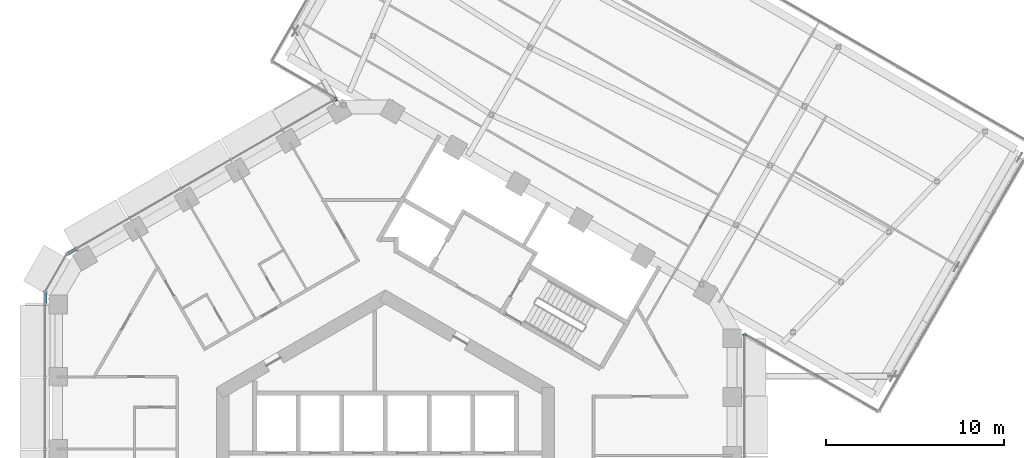
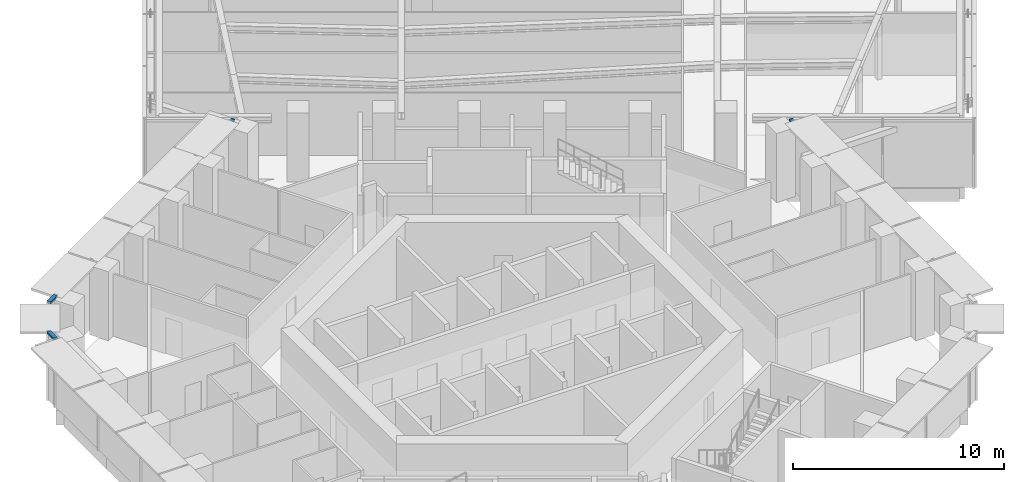
# One storey, part 11 of 28: 4 members, 3 elements without a shape of their own.
"""IFC4 building model written with IfcOpenShell, lengths in metres."""

from ifc_helpers import new_model, si_unit, direction, frame, origin, origin_2d, place, context, subcontext, project, spatial, rectangle, extrude, material, layer, layer_set, material_profile, profile_set, type_object, element, aggregate, save


model = new_model("IFC4")

# Units and contexts
model_context = context("Model", 3, precision=1e-05, world=origin(), true_north=direction((0.0, 1.0)))
body_context = subcontext(model_context, "Body", "Model", "MODEL_VIEW")
ifc_project = project(units=[si_unit("LENGTHUNIT", "METRE"), si_unit("AREAUNIT", "SQUARE_METRE"), si_unit("VOLUMEUNIT", "CUBIC_METRE"), si_unit("PLANEANGLEUNIT", "RADIAN"), si_unit("MASSUNIT", "GRAM", prefix="KILO")], contexts=[model_context])

# Site, building, storey
site_placement = place(None, origin())
site = spatial("IfcSite", under=ifc_project, at=site_placement, CompositionType="ELEMENT")
building_placement = place(site_placement, origin())
building = spatial("IfcBuilding", under=site, at=building_placement, Name="Ayvan Gate Tower", CompositionType="ELEMENT")
storey_placement = place(building_placement, frame((0.0, 0.0, 143.89990234375)))
storey = spatial("IfcBuildingStorey", under=building, at=storey_placement, Name="L38", CompositionType="ELEMENT", Elevation=143.89990234375)

# Curtain wall, members
ifc_material = material(Name="Bronze anodised aluminium", Category="aluminium")
ifc_layer = layer(ifc_material, 0.199951171875)
ifc_layer_set = layer_set([ifc_layer], Name="Bronze anodised aluminium")
curtain_wall_type = type_object("IfcCurtainWallType", Name="Stick curtain wall CW-6", PredefinedType="NOTDEFINED", material=ifc_layer_set)
curtain_wall_1_placement = place(storey_placement, origin())
curtain_wall_1 = element("IfcCurtainWall", 1, at=curtain_wall_1_placement, inside=storey, type_object=curtain_wall_type, Name="Stick curtain wall CW-6 L38", PredefinedType="NOTDEFINED")
ifc_material_profile = material_profile(ifc_material, rectangle(XDim=0.199951171875, YDim=0.1201171875, at=origin_2d()), Name="Stick curtain wall CW-6 transom 200 x 120")
ifc_profile_set = profile_set([ifc_material_profile], Name="Bronze anodised aluminium")
member_type = type_object("IfcMemberType", Name="Stick curtain wall CW-6 transom 200 x 120", PredefinedType="USERDEFINED", material=ifc_profile_set)
member_1_placement = place(storey_placement, frame((-17.35400390625, 13.288818359375, 3.940185546875), z_axis=(-0.866022959057, -0.500004234368, 0.0), x_axis=(0.500004234368, -0.866022959057, 0.0)))
member_1 = element("IfcMember", 2, at=member_1_placement, type_object=member_type, Name="CW-6 transom 1", ObjectType="TRANSOM", PredefinedType="USERDEFINED", context=body_context, shape_type="SweptSolid", body=[
    extrude(rectangle(XDim=0.199951171875, YDim=0.1201171875, at=origin_2d()), origin(), (0.0, 0.0, 1.0), 0.625),
])
member_2_placement = place(storey_placement, frame((-19.124267578125, 10.847900390625, 3.940185546875), z_axis=(0.0, -1.0, 0.0), x_axis=(1.0, 0.0, 0.0)))
member_2 = element("IfcMember", 3, at=member_2_placement, type_object=member_type, Name="CW-6 transom 2", ObjectType="TRANSOM", PredefinedType="USERDEFINED", context=body_context, shape_type="SweptSolid", body=[
    extrude(rectangle(XDim=0.199951171875, YDim=0.1201171875, at=origin_2d()), origin(), (0.0, 0.0, 1.0), 0.625),
])
aggregate(curtain_wall_1, [member_1, member_2])

# Curtain wall, member
curtain_wall_2_placement = place(storey_placement, origin())
curtain_wall_2 = element("IfcCurtainWall", 4, at=curtain_wall_2_placement, inside=storey, type_object=curtain_wall_type, Name="Stick curtain wall CW-6 L38", PredefinedType="NOTDEFINED")
member_3_placement = place(storey_placement, frame((20.185546875, 8.384765625, 3.940185546875), z_axis=(-0.258736085224, 0.965948051503, 0.0), x_axis=(-0.965948051503, -0.258736085224, 0.0)))
member_3 = element("IfcMember", 5, at=member_3_placement, type_object=member_type, Name="CW-6 transom 1", ObjectType="TRANSOM", PredefinedType="USERDEFINED", context=body_context, shape_type="SweptSolid", body=[
    extrude(rectangle(XDim=0.199951171875, YDim=0.1201171875, at=origin_2d()), origin(), (0.0, 0.0, 1.0), 0.09912109375),
])
aggregate(curtain_wall_2, [member_3])

curtain_wall_3_placement = place(storey_placement, origin())
curtain_wall_3 = element("IfcCurtainWall", 6, at=curtain_wall_3_placement, inside=storey, type_object=curtain_wall_type, Name="Stick curtain wall CW-6 L38", PredefinedType="NOTDEFINED")
member_4_placement = place(storey_placement, frame((-2.735595703125, 21.69921875, 3.940185546875), z_axis=(-0.966112425525, -0.258121640407, 0.0), x_axis=(0.258121640407, -0.966112425525, 0.0)))
member_4 = element("IfcMember", 7, at=member_4_placement, type_object=member_type, Name="CW-6 transom 1", ObjectType="TRANSOM", PredefinedType="USERDEFINED", context=body_context, shape_type="SweptSolid", body=[
    extrude(rectangle(XDim=0.199951171875, YDim=0.1201171875, at=origin_2d()), origin(), (0.0, 0.0, 1.0), 0.099365234375),
])
aggregate(curtain_wall_3, [member_4])

save(model, "model.ifc")
